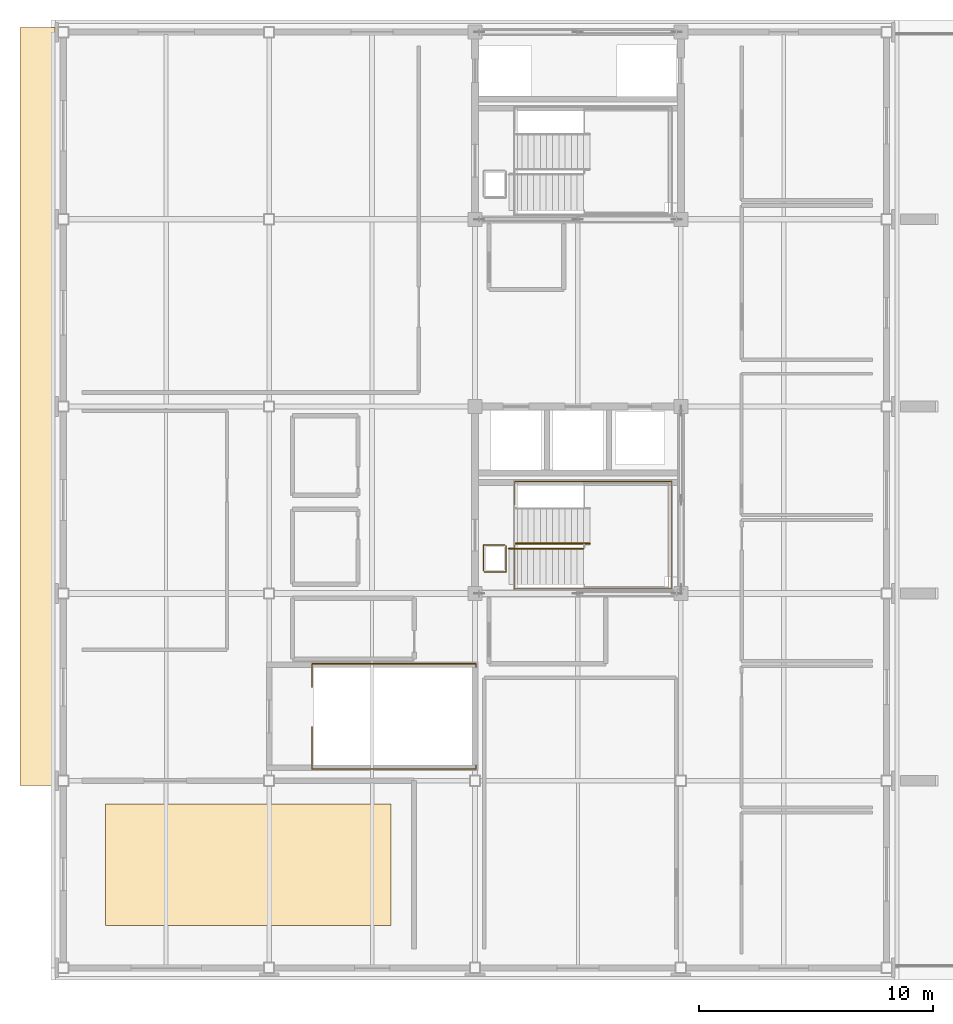
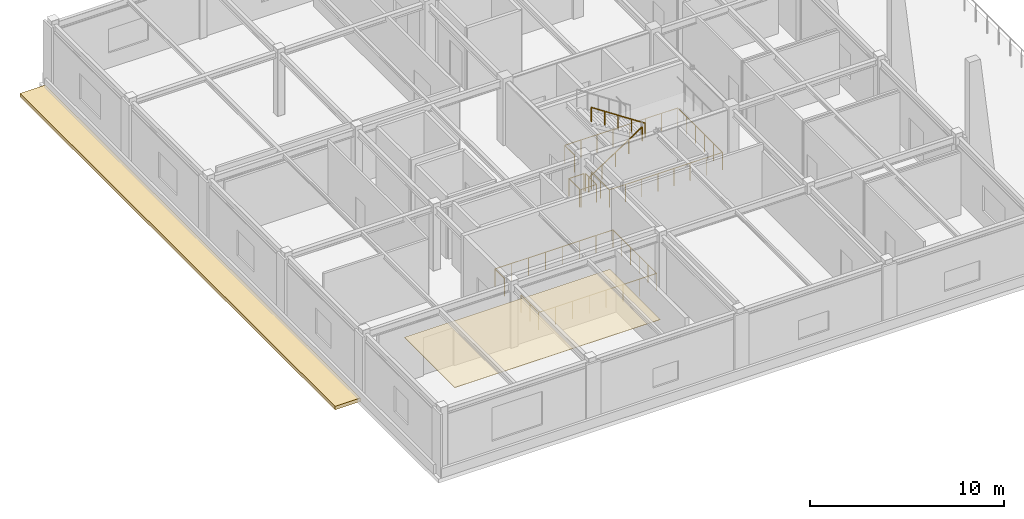
# One storey, part 10 of 13: 6 railings, 2 coverings.
"""IFC4 building model written with IfcOpenShell, lengths in metres."""

import ifcopenshell
import ifcopenshell.guid

model = None  # the IFC model being written
_history = None  # IfcOwnerHistory: only IFC2X3 demands one
_inside = {}  # id of a spatial element -> (the spatial element, [elements in it])
_under = {}  # id of a project, library or spatial element -> (it, [spatial elements below it])
_declared = {}  # id of a project -> (the project, [libraries it declares])
_typed = {}  # id of a type object -> (the type object, [elements of that type])
_made_of = {}  # id of a material, layer set ... -> (it, [elements and type objects made of it])


def new_model(schema):
    """Start an empty IFC model of exactly this schema.

    Asked for "IFC4X3", IfcOpenShell would pick the latest addendum, in which some entities
    have other attributes; the version numbers below select the first issue.
    IFC2X3 requires an IfcOwnerHistory on every rooted entity: one is made here for all.
    """
    global model, _history
    if schema == "IFC4X3":
        model = ifcopenshell.file(schema_version=(4, 3, 0, 0))
    else:
        model = ifcopenshell.file(schema=schema)
    _inside.clear()
    _under.clear()
    _declared.clear()
    _typed.clear()
    _made_of.clear()
    _history = None
    if model.schema == "IFC2X3":
        org = make("IfcOrganization", Name="unknown")
        user = make(
            "IfcPersonAndOrganization",
            ThePerson=make("IfcPerson", FamilyName="unknown"),
            TheOrganization=org,
        )
        app = make(
            "IfcApplication",
            ApplicationDeveloper=org,
            Version="unknown",
            ApplicationFullName="unknown",
            ApplicationIdentifier="unknown",
        )
        _history = make(
            "IfcOwnerHistory",
            OwningUser=user,
            OwningApplication=app,
            ChangeAction="ADDED",
            CreationDate=0,
        )
    return model


def make(cls, **values):
    """One entity of the class cls with the attributes given. An attribute that is None is left unset."""
    return model.create_entity(
        cls, **{name: value for name, value in values.items() if value is not None}
    )


def rooted(cls, **values):
    """An entity with a GlobalId (a new one), such as an element, a storey or a relation."""
    return make(cls, GlobalId=ifcopenshell.guid.new(), OwnerHistory=_history, **values)


def si_unit(unit_type, name, prefix=None):
    """IfcSIUnit, for example si_unit("LENGTHUNIT", "METRE", prefix="MILLI")."""
    return make("IfcSIUnit", UnitType=unit_type, Prefix=prefix, Name=name)


def assignment(units):
    """IfcUnitAssignment: the units of a project."""
    return None if units is None else make("IfcUnitAssignment", Units=units)


def point(xyz):
    """IfcCartesianPoint."""
    return None if xyz is None else make("IfcCartesianPoint", Coordinates=xyz)


def direction(xyz):
    """IfcDirection."""
    return None if xyz is None else make("IfcDirection", DirectionRatios=xyz)


def frame(location, z_axis=None, x_axis=None):
    """IfcAxis2Placement3D, a coordinate frame: its origin and axes. An axis left out is left unset."""
    return make(
        "IfcAxis2Placement3D",
        Location=point(location),
        Axis=direction(z_axis),
        RefDirection=direction(x_axis),
    )


def frame_2d(location, x_axis=None):
    """IfcAxis2Placement2D, a coordinate frame in the plane: its origin and x axis."""
    return make(
        "IfcAxis2Placement2D", Location=point(location), RefDirection=direction(x_axis)
    )


def origin():
    """The frame at (0, 0, 0) with its axes left unset."""
    return frame((0.0, 0.0, 0.0))


def origin_2d():
    """The frame at (0, 0) in the plane with its x axis left unset."""
    return frame_2d((0.0, 0.0))


def place(relative_to, where):
    """IfcLocalPlacement: puts the frame where relative to a parent placement (None: the world)."""
    return make(
        "IfcLocalPlacement", PlacementRelTo=relative_to, RelativePlacement=where
    )


def context(
    kind, dimensions, precision=None, world=None, true_north=None, identifier=None
):
    """IfcGeometricRepresentationContext, for example the 3D "Model" context."""
    return make(
        "IfcGeometricRepresentationContext",
        ContextIdentifier=identifier,
        ContextType=kind,
        CoordinateSpaceDimension=dimensions,
        Precision=precision,
        WorldCoordinateSystem=world,
        TrueNorth=true_north,
    )


def subcontext(parent, identifier, kind, view, scale=None):
    """IfcGeometricRepresentationSubContext, for example "Body" below "Model"."""
    return make(
        "IfcGeometricRepresentationSubContext",
        ContextIdentifier=identifier,
        ContextType=kind,
        ParentContext=parent,
        TargetScale=scale,
        TargetView=view,
    )


def project(units=None, contexts=None):
    """IfcProject with its units and contexts."""
    return rooted(
        "IfcProject",
        Name="project",
        RepresentationContexts=contexts,
        UnitsInContext=assignment(units),
    )


def spatial(cls, under=None, at=None, **own):
    """A site, building, storey or space (cls), placed at a placement, below another one or the project."""
    s = rooted(cls, ObjectPlacement=at, **own)
    if under is not None:
        _under.setdefault(under.id(), (under, []))[1].append(s)
    return s


def profile(cls, at=None, kind="AREA", **sizes):
    """A parametric profile (cls). Its sizes go by their IFC names, for example OverallWidth=200.0."""
    return make(cls, ProfileType=kind, Position=at, **sizes)


def rectangle(**sizes):
    """IfcRectangleProfileDef."""
    return profile("IfcRectangleProfileDef", **sizes)


def circle(**sizes):
    """IfcCircleProfileDef."""
    return profile("IfcCircleProfileDef", **sizes)


def extrude(swept, where, along, depth):
    """IfcExtrudedAreaSolid: the profile swept, set in the frame where, extruded along a direction by depth."""
    return make(
        "IfcExtrudedAreaSolid",
        SweptArea=swept,
        Position=where,
        ExtrudedDirection=direction(along),
        Depth=depth,
    )


def shape(context_of_items, identifier, shape_type, items):
    """IfcShapeRepresentation: the items that make up one representation, for example the "Body"."""
    return make(
        "IfcShapeRepresentation",
        ContextOfItems=context_of_items,
        RepresentationIdentifier=identifier,
        RepresentationType=shape_type,
        Items=items,
    )


def material(Name=None, Category=None):
    """IfcMaterial."""
    return make("IfcMaterial", Name=Name, Category=Category)


def layer(
    of_material, thickness, ventilated=None, Name=None, Category=None, Priority=None
):
    """IfcMaterialLayer: one layer of a wall or slab, of a material (None: an air gap)."""
    return make(
        "IfcMaterialLayer",
        Material=of_material,
        LayerThickness=thickness,
        IsVentilated=ventilated,
        Name=Name,
        Category=Category,
        Priority=Priority,
    )


def layer_set(layers, Name=None):
    """IfcMaterialLayerSet."""
    return make("IfcMaterialLayerSet", MaterialLayers=layers, LayerSetName=Name)


def made_of(thing, what):
    """Note that an element or type object is made of a material, layer set ...; save() writes the relation."""
    if what is not None:
        _made_of.setdefault(what.id(), (what, []))[1].append(thing)
    return thing


def type_object(cls, material=None, **own):
    """A type object (cls), such as IfcWallType, which elements share."""
    return made_of(rooted(cls, **own), material)


def element(
    cls,
    number,
    at=None,
    inside=None,
    cuts=None,
    type_object=None,
    material=None,
    context=None,
    identifier="Body",
    shape_type=None,
    held_by="IfcProductDefinitionShape",
    body=None,
    shapes=None,
    **own,
):
    """One element of the class cls, such as IfcWall. Its Tag is "e" and its number.

    at: its placement. inside: the storey or other place that contains it. cuts: it is an
    opening in that element (IfcRelVoidsElement). A single representation is given by context,
    identifier, shape_type and body (its items); several are given by shapes. held_by: the class
    of the entity that holds the representations. save() writes the other relations.
    """
    e = rooted(cls, Tag="e%d" % number, ObjectPlacement=at, **own)
    if body is not None:
        shapes = [shape(context, identifier, shape_type, body)]
    if shapes is not None:
        e.Representation = make(held_by, Representations=shapes)
    if inside is not None:
        _inside.setdefault(inside.id(), (inside, []))[1].append(e)
    if cuts is not None:
        rooted(
            "IfcRelVoidsElement", RelatingBuildingElement=cuts, RelatedOpeningElement=e
        )
    if type_object is not None:
        _typed.setdefault(type_object.id(), (type_object, []))[1].append(e)
    return made_of(e, material)


def aggregate(whole, parts):
    """IfcRelAggregates: a whole, such as a stair, and the parts it consists of."""
    return rooted("IfcRelAggregates", RelatingObject=whole, RelatedObjects=parts)


def save(model, path):
    """Write the relations noted so far, then the file.

    IfcRelAggregates (storeys below a building ...), IfcRelContainedInSpatialStructure (elements
    in a storey), IfcRelDefinesByType, IfcRelAssociatesMaterial and IfcRelDeclares: one each for
    every whole, place, type object, material and project.
    """
    for whole, parts in _under.values():
        aggregate(whole, parts)
    for where, things in _inside.values():
        rooted(
            "IfcRelContainedInSpatialStructure",
            RelatedElements=things,
            RelatingStructure=where,
        )
    for kind, things in _typed.values():
        rooted("IfcRelDefinesByType", RelatedObjects=things, RelatingType=kind)
    for what, things in _made_of.values():
        rooted("IfcRelAssociatesMaterial", RelatedObjects=things, RelatingMaterial=what)
    for by, libraries in _declared.values():
        rooted("IfcRelDeclares", RelatingContext=by, RelatedDefinitions=libraries)
    model.write(path)


model = new_model("IFC4")

# Units and contexts
model_context = context("Model", 3, precision=1e-05, world=origin(), true_north=direction((0.0, 1.0)))
body_context = subcontext(model_context, "Body", "Model", "MODEL_VIEW")
ifc_project = project(units=[si_unit("LENGTHUNIT", "METRE"), si_unit("AREAUNIT", "SQUARE_METRE"), si_unit("VOLUMEUNIT", "CUBIC_METRE"), si_unit("PLANEANGLEUNIT", "RADIAN"), si_unit("MASSUNIT", "GRAM", prefix="KILO")], contexts=[model_context])

# Site, building, storey
site_placement = place(None, origin())
site = spatial("IfcSite", under=ifc_project, at=site_placement, CompositionType="ELEMENT")
building_placement = place(site_placement, origin())
building = spatial("IfcBuilding", under=site, at=building_placement, Name="Zhaolan Boulevard Law Courts", CompositionType="ELEMENT")
storey_placement = place(building_placement, frame((0.0, 0.0, 37.199951171875)))
storey = spatial("IfcBuildingStorey", under=building, at=storey_placement, Name="L08", CompositionType="ELEMENT", Elevation=37.199951171875)

# Coverings
ifc_material_1 = material(Name="Perforated acoustic gypsum and timber-slat ceiling", Category="wood")
ifc_layer_1 = layer(ifc_material_1, 0.02490234375)
ifc_layer_set_1 = layer_set([ifc_layer_1])
covering_type_1 = type_object("IfcCoveringType", Name="ACOUSTIC CEILING 25", PredefinedType="CEILING", material=ifc_layer_set_1)
covering_1_placement = place(storey_placement, frame((7.89990234375, 34.39990234375, 3.517578125), z_axis=(0.0, 0.0, 1.0), x_axis=(1.0, 0.0, 0.0)))
element("IfcCovering", 1, at=covering_1_placement, inside=storey, type_object=covering_type_1, Name="Acoustic Baffle Ceiling CLG-16", PredefinedType="CEILING", context=body_context, shape_type="SweptSolid", body=[
    extrude(rectangle(XDim=12.199951171875, YDim=5.199951171875, at=origin_2d()), origin(), (0.0, 0.0, 1.0), 0.02490234375),
])
ifc_material_2 = material(Name="Fair-faced architectural concrete C40", Category="concrete")
ifc_layer_2 = layer(ifc_material_2, 0.219970703125)
ifc_layer_set_2 = layer_set([ifc_layer_2])
covering_type_2 = type_object("IfcCoveringType", Name="CONCRETE STORMHOOD 220", PredefinedType="CLADDING", material=ifc_layer_set_2)
covering_2_placement = place(storey_placement, frame((-1.10009765625, 54.0, -0.2197265625), z_axis=(0.0, 0.0, 1.0), x_axis=(1.0, 0.0, 0.0)))
element("IfcCovering", 2, at=covering_2_placement, inside=storey, type_object=covering_type_2, Name="Sculpted Concrete Typhoon Stormhood CSH-04", PredefinedType="CLADDING", context=body_context, shape_type="SweptSolid", body=[
    extrude(rectangle(XDim=1.5, YDim=32.39990234375, at=origin_2d()), origin(), (0.0, 0.0, 1.0), 0.219970703125),
])

# Railings
ifc_material_3 = material(Name="Powder-coated steel and tempered laminated glass", Category="steel")
railing_type_1 = type_object("IfcRailingType", Name="INTERIOR GUARDRAIL 1150", PredefinedType="GUARDRAIL", material=ifc_material_3)
railing_1_placement = place(storey_placement, frame((18.010009765625, 46.919921875, 0.0)))
element("IfcRailing", 3, at=railing_1_placement, inside=storey, type_object=railing_type_1, Name="Atrium Gallery Guardrail VG-8-V5-9A", PredefinedType="GUARDRAIL", context=body_context, shape_type="SweptSolid", body=[
    extrude(circle(Radius=0.02490234375, at=origin_2d()), frame((0.0, 0.0, 1.125), z_axis=(1.0, 0.0, 0.0), x_axis=(0.0, 1.0, 0.0)), (0.0, 0.0, 1.0), 0.919921875),
    extrude(circle(Radius=0.02490234375, at=origin_2d()), frame((0.919921875, 0.0, 1.125), z_axis=(0.0, 1.0, 0.0), x_axis=(-1.0, 0.0, 0.0)), (0.0, 0.0, 1.0), 1.1201171875),
    extrude(circle(Radius=0.02099609375, at=origin_2d()), origin(), (0.0, 0.0, 1.0), 1.099853515625),
    extrude(circle(Radius=0.02099609375, at=origin_2d()), frame((0.919921875, 0.0, 0.0)), (0.0, 0.0, 1.0), 1.099853515625),
    extrude(circle(Radius=0.02099609375, at=origin_2d()), frame((0.919921875, 1.1201171875, 0.0)), (0.0, 0.0, 1.0), 1.099853515625),
])
railing_2_placement = place(storey_placement, frame((18.8701171875, 48.080078125, 0.0)))
element("IfcRailing", 4, at=railing_2_placement, inside=storey, type_object=railing_type_1, Name="Atrium Gallery Guardrail VG-8-V5-9B", PredefinedType="GUARDRAIL", context=body_context, shape_type="SweptSolid", body=[
    extrude(circle(Radius=0.02490234375, at=origin_2d()), frame((0.0, 0.0, 1.125), z_axis=(-1.0, 0.0, 0.0), x_axis=(0.0, -1.0, 0.0)), (0.0, 0.0, 1.0), 0.900146484375),
    extrude(circle(Radius=0.02490234375, at=origin_2d()), frame((-0.900146484375, 0.0, 1.125), z_axis=(0.0, -1.0, 0.0), x_axis=(1.0, 0.0, 0.0)), (0.0, 0.0, 1.0), 1.10009765625),
    extrude(circle(Radius=0.02099609375, at=origin_2d()), origin(), (0.0, 0.0, 1.0), 1.099853515625),
    extrude(circle(Radius=0.02099609375, at=origin_2d()), frame((-0.900146484375, 0.0, 0.0)), (0.0, 0.0, 1.0), 1.099853515625),
    extrude(circle(Radius=0.02099609375, at=origin_2d()), frame((-0.900146484375, -1.10009765625, 0.0)), (0.0, 0.0, 1.0), 1.099853515625),
])
ifc_material_4 = material(Name="Brushed stainless steel tubular handrail", Category="steel")
railing_type_2 = type_object("IfcRailingType", Name="STAIR HANDRAIL 900", PredefinedType="HANDRAIL", material=ifc_material_4)
railing_3_placement = place(storey_placement, frame((19.050048828125, 47.919921875, 0.0)))
element("IfcRailing", 5, at=railing_3_placement, inside=storey, type_object=railing_type_2, Name="Stair Handrail HR-ST01-L08-1", PredefinedType="HANDRAIL", context=body_context, shape_type="SweptSolid", body=[
    extrude(circle(Radius=0.0224609375, at=origin_2d()), frame((0.0, 0.0, 0.87744140625), z_axis=(0.834447378162, 0.0, 0.551087627405), x_axis=(0.0, 1.0, 0.0)), (0.0, 0.0, 1.0), 3.810791015625),
    extrude(circle(Radius=0.01904296875, at=origin_2d()), origin(), (0.0, 0.0, 1.0), 0.85498046875),
    extrude(circle(Radius=0.01904296875, at=origin_2d()), frame((0.794921875, 0.0, 0.52490234375)), (0.0, 0.0, 1.0), 0.85498046875),
    extrude(circle(Radius=0.01904296875, at=origin_2d()), frame((1.58984375, 0.0, 1.050048828125)), (0.0, 0.0, 1.0), 0.85498046875),
    extrude(circle(Radius=0.01904296875, at=origin_2d()), frame((2.385009765625, 0.0, 1.5751953125)), (0.0, 0.0, 1.0), 0.85498046875),
    extrude(circle(Radius=0.01904296875, at=origin_2d()), frame((3.179931640625, 0.0, 2.10009765625)), (0.0, 0.0, 1.0), 0.85498046875),
])
railing_4_placement = place(storey_placement, frame((22.514892578125, 48.139892578125, 2.10009765625)))
element("IfcRailing", 6, at=railing_4_placement, inside=storey, type_object=railing_type_2, Name="Stair Handrail HR-ST01-L08-2", PredefinedType="HANDRAIL", context=body_context, shape_type="SweptSolid", body=[
    extrude(circle(Radius=0.0224609375, at=origin_2d()), frame((0.0, 0.0, 0.87744140625), z_axis=(-0.834476838559, 0.0, 0.551043016387), x_axis=(0.0, -1.0, 0.0)), (0.0, 0.0, 1.0), 3.810791015625),
    extrude(circle(Radius=0.01904296875, at=origin_2d()), origin(), (0.0, 0.0, 1.0), 0.85498046875),
    extrude(circle(Radius=0.01904296875, at=origin_2d()), frame((-0.794921875, 0.0, 0.52490234375)), (0.0, 0.0, 1.0), 0.85498046875),
    extrude(circle(Radius=0.01904296875, at=origin_2d()), frame((-1.58984375, 0.0, 1.0498046875)), (0.0, 0.0, 1.0), 0.85498046875),
    extrude(circle(Radius=0.01904296875, at=origin_2d()), frame((-2.385009765625, 0.0, 1.574951171875)), (0.0, 0.0, 1.0), 0.85498046875),
    extrude(circle(Radius=0.01904296875, at=origin_2d()), frame((-3.179931640625, 0.0, 2.099853515625)), (0.0, 0.0, 1.0), 0.85498046875),
])
ifc_material_5 = material(Name="Powder-coated steel baluster guardrail", Category="steel")
railing_type_3 = type_object("IfcRailingType", Name="STAIR WELL GUARDRAIL 1120", PredefinedType="GUARDRAIL", material=ifc_material_5)
railing_5_placement = place(storey_placement, frame((19.2900390625, 48.050048828125, 0.0)))
element("IfcRailing", 7, at=railing_5_placement, inside=storey, type_object=railing_type_3, Name="Stair-Well Floor Guardrail WG-ST01-L07", PredefinedType="GUARDRAIL", context=body_context, shape_type="SweptSolid", body=[
    extrude(circle(Radius=0.02392578125, at=origin_2d()), frame((0.0, 0.0, 1.09619140625), z_axis=(0.0, -1.0, 0.0), x_axis=(1.0, 0.0, 0.0)), (0.0, 0.0, 1.0), 1.85009765625),
    extrude(circle(Radius=0.02392578125, at=origin_2d()), frame((0.0, -1.85009765625, 1.09619140625), z_axis=(1.0, 0.0, 0.0), x_axis=(0.0, 1.0, 0.0)), (0.0, 0.0, 1.0), 6.7099609375),
    extrude(circle(Radius=0.02392578125, at=origin_2d()), frame((6.7099609375, -1.85009765625, 1.09619140625), z_axis=(0.0, 1.0, 0.0), x_axis=(-1.0, 0.0, 0.0)), (0.0, 0.0, 1.0), 4.60009765625),
    extrude(circle(Radius=0.02392578125, at=origin_2d()), frame((6.7099609375, 2.75, 1.09619140625), z_axis=(-1.0, 0.0, 0.0), x_axis=(0.0, -1.0, 0.0)), (0.0, 0.0, 1.0), 6.7099609375),
    extrude(circle(Radius=0.02392578125, at=origin_2d()), frame((0.0, 2.75, 1.09619140625), z_axis=(0.0, -1.0, 0.0), x_axis=(1.0, 0.0, 0.0)), (0.0, 0.0, 1.0), 1.0),
    extrude(circle(Radius=0.02099609375, at=origin_2d()), origin(), (0.0, 0.0, 1.0), 1.072021484375),
    extrude(circle(Radius=0.02099609375, at=origin_2d()), frame((0.0, -0.925048828125, 0.0)), (0.0, 0.0, 1.0), 1.072021484375),
    extrude(circle(Radius=0.02099609375, at=origin_2d()), frame((0.0, -1.85009765625, 0.0)), (0.0, 0.0, 1.0), 1.072021484375),
    extrude(circle(Radius=0.02099609375, at=origin_2d()), frame((0.95849609375, -1.85009765625, 0.0)), (0.0, 0.0, 1.0), 1.072021484375),
    extrude(circle(Radius=0.02099609375, at=origin_2d()), frame((1.917236328125, -1.85009765625, 0.0)), (0.0, 0.0, 1.0), 1.072021484375),
    extrude(circle(Radius=0.02099609375, at=origin_2d()), frame((2.875732421875, -1.85009765625, 0.0)), (0.0, 0.0, 1.0), 1.072021484375),
    extrude(circle(Radius=0.02099609375, at=origin_2d()), frame((3.834228515625, -1.85009765625, 0.0)), (0.0, 0.0, 1.0), 1.072021484375),
    extrude(circle(Radius=0.02099609375, at=origin_2d()), frame((4.792724609375, -1.85009765625, 0.0)), (0.0, 0.0, 1.0), 1.072021484375),
    extrude(circle(Radius=0.02099609375, at=origin_2d()), frame((5.75146484375, -1.85009765625, 0.0)), (0.0, 0.0, 1.0), 1.072021484375),
    extrude(circle(Radius=0.02099609375, at=origin_2d()), frame((6.7099609375, -1.85009765625, 0.0)), (0.0, 0.0, 1.0), 1.072021484375),
    extrude(circle(Radius=0.02099609375, at=origin_2d()), frame((6.7099609375, -0.93017578125, 0.0)), (0.0, 0.0, 1.0), 1.072021484375),
    extrude(circle(Radius=0.02099609375, at=origin_2d()), frame((6.7099609375, -0.010009765625, 0.0)), (0.0, 0.0, 1.0), 1.072021484375),
    extrude(circle(Radius=0.02099609375, at=origin_2d()), frame((6.7099609375, 0.909912109375, 0.0)), (0.0, 0.0, 1.0), 1.072021484375),
    extrude(circle(Radius=0.02099609375, at=origin_2d()), frame((6.7099609375, 1.830078125, 0.0)), (0.0, 0.0, 1.0), 1.072021484375),
    extrude(circle(Radius=0.02099609375, at=origin_2d()), frame((6.7099609375, 2.75, 0.0)), (0.0, 0.0, 1.0), 1.072021484375),
    extrude(circle(Radius=0.02099609375, at=origin_2d()), frame((5.75146484375, 2.75, 0.0)), (0.0, 0.0, 1.0), 1.072021484375),
    extrude(circle(Radius=0.02099609375, at=origin_2d()), frame((4.792724609375, 2.75, 0.0)), (0.0, 0.0, 1.0), 1.072021484375),
    extrude(circle(Radius=0.02099609375, at=origin_2d()), frame((3.834228515625, 2.75, 0.0)), (0.0, 0.0, 1.0), 1.072021484375),
    extrude(circle(Radius=0.02099609375, at=origin_2d()), frame((2.875732421875, 2.75, 0.0)), (0.0, 0.0, 1.0), 1.072021484375),
    extrude(circle(Radius=0.02099609375, at=origin_2d()), frame((1.917236328125, 2.75, 0.0)), (0.0, 0.0, 1.0), 1.072021484375),
    extrude(circle(Radius=0.02099609375, at=origin_2d()), frame((0.95849609375, 2.75, 0.0)), (0.0, 0.0, 1.0), 1.072021484375),
    extrude(circle(Radius=0.02099609375, at=origin_2d()), frame((0.0, 2.75, 0.0)), (0.0, 0.0, 1.0), 1.072021484375),
    extrude(circle(Radius=0.02099609375, at=origin_2d()), frame((0.0, 1.75, 0.0)), (0.0, 0.0, 1.0), 1.072021484375),
])
railing_6_placement = place(storey_placement, frame((10.639892578125, 40.300048828125, 0.0)))
element("IfcRailing", 8, at=railing_6_placement, inside=storey, type_object=railing_type_3, Name="Stair-Well Floor Guardrail WG-ST03-L07", PredefinedType="GUARDRAIL", context=body_context, shape_type="SweptSolid", body=[
    extrude(circle(Radius=0.02392578125, at=origin_2d()), frame((0.0, 0.0, 1.09619140625), z_axis=(0.0, -1.0, 0.0), x_axis=(1.0, 0.0, 0.0)), (0.0, 0.0, 1.0), 1.800048828125),
    extrude(circle(Radius=0.02392578125, at=origin_2d()), frame((0.0, -1.800048828125, 1.09619140625), z_axis=(1.0, 0.0, 0.0), x_axis=(0.0, 1.0, 0.0)), (0.0, 0.0, 1.0), 7.010009765625),
    extrude(circle(Radius=0.02392578125, at=origin_2d()), frame((7.010009765625, -1.800048828125, 1.09619140625), z_axis=(0.0, 1.0, 0.0), x_axis=(-1.0, 0.0, 0.0)), (0.0, 0.0, 1.0), 4.5),
    extrude(circle(Radius=0.02392578125, at=origin_2d()), frame((7.010009765625, 2.699951171875, 1.09619140625), z_axis=(-1.0, 0.0, 0.0), x_axis=(0.0, -1.0, 0.0)), (0.0, 0.0, 1.0), 7.010009765625),
    extrude(circle(Radius=0.02392578125, at=origin_2d()), frame((0.0, 2.699951171875, 1.09619140625), z_axis=(0.0, -1.0, 0.0), x_axis=(1.0, 0.0, 0.0)), (0.0, 0.0, 1.0), 1.0),
    extrude(circle(Radius=0.02099609375, at=origin_2d()), origin(), (0.0, 0.0, 1.0), 1.072021484375),
    extrude(circle(Radius=0.02099609375, at=origin_2d()), frame((0.0, -0.89990234375, 0.0)), (0.0, 0.0, 1.0), 1.072021484375),
    extrude(circle(Radius=0.02099609375, at=origin_2d()), frame((0.0, -1.800048828125, 0.0)), (0.0, 0.0, 1.0), 1.072021484375),
    extrude(circle(Radius=0.02099609375, at=origin_2d()), frame((1.00146484375, -1.800048828125, 0.0)), (0.0, 0.0, 1.0), 1.072021484375),
    extrude(circle(Radius=0.02099609375, at=origin_2d()), frame((2.0029296875, -1.800048828125, 0.0)), (0.0, 0.0, 1.0), 1.072021484375),
    extrude(circle(Radius=0.02099609375, at=origin_2d()), frame((3.00439453125, -1.800048828125, 0.0)), (0.0, 0.0, 1.0), 1.072021484375),
    extrude(circle(Radius=0.02099609375, at=origin_2d()), frame((4.005615234375, -1.800048828125, 0.0)), (0.0, 0.0, 1.0), 1.072021484375),
    extrude(circle(Radius=0.02099609375, at=origin_2d()), frame((5.007080078125, -1.800048828125, 0.0)), (0.0, 0.0, 1.0), 1.072021484375),
    extrude(circle(Radius=0.02099609375, at=origin_2d()), frame((6.008544921875, -1.800048828125, 0.0)), (0.0, 0.0, 1.0), 1.072021484375),
    extrude(circle(Radius=0.02099609375, at=origin_2d()), frame((7.010009765625, -1.800048828125, 0.0)), (0.0, 0.0, 1.0), 1.072021484375),
    extrude(circle(Radius=0.02099609375, at=origin_2d()), frame((7.010009765625, -0.900146484375, 0.0)), (0.0, 0.0, 1.0), 1.072021484375),
    extrude(circle(Radius=0.02099609375, at=origin_2d()), frame((7.010009765625, 0.0, 0.0)), (0.0, 0.0, 1.0), 1.072021484375),
    extrude(circle(Radius=0.02099609375, at=origin_2d()), frame((7.010009765625, 0.89990234375, 0.0)), (0.0, 0.0, 1.0), 1.072021484375),
    extrude(circle(Radius=0.02099609375, at=origin_2d()), frame((7.010009765625, 1.800048828125, 0.0)), (0.0, 0.0, 1.0), 1.072021484375),
    extrude(circle(Radius=0.02099609375, at=origin_2d()), frame((7.010009765625, 2.699951171875, 0.0)), (0.0, 0.0, 1.0), 1.072021484375),
    extrude(circle(Radius=0.02099609375, at=origin_2d()), frame((6.008544921875, 2.699951171875, 0.0)), (0.0, 0.0, 1.0), 1.072021484375),
    extrude(circle(Radius=0.02099609375, at=origin_2d()), frame((5.007080078125, 2.699951171875, 0.0)), (0.0, 0.0, 1.0), 1.072021484375),
    extrude(circle(Radius=0.02099609375, at=origin_2d()), frame((4.005615234375, 2.699951171875, 0.0)), (0.0, 0.0, 1.0), 1.072021484375),
    extrude(circle(Radius=0.02099609375, at=origin_2d()), frame((3.00439453125, 2.699951171875, 0.0)), (0.0, 0.0, 1.0), 1.072021484375),
    extrude(circle(Radius=0.02099609375, at=origin_2d()), frame((2.0029296875, 2.699951171875, 0.0)), (0.0, 0.0, 1.0), 1.072021484375),
    extrude(circle(Radius=0.02099609375, at=origin_2d()), frame((1.00146484375, 2.699951171875, 0.0)), (0.0, 0.0, 1.0), 1.072021484375),
    extrude(circle(Radius=0.02099609375, at=origin_2d()), frame((0.0, 2.699951171875, 0.0)), (0.0, 0.0, 1.0), 1.072021484375),
    extrude(circle(Radius=0.02099609375, at=origin_2d()), frame((0.0, 1.699951171875, 0.0)), (0.0, 0.0, 1.0), 1.072021484375),
])

save(model, "model.ifc")
